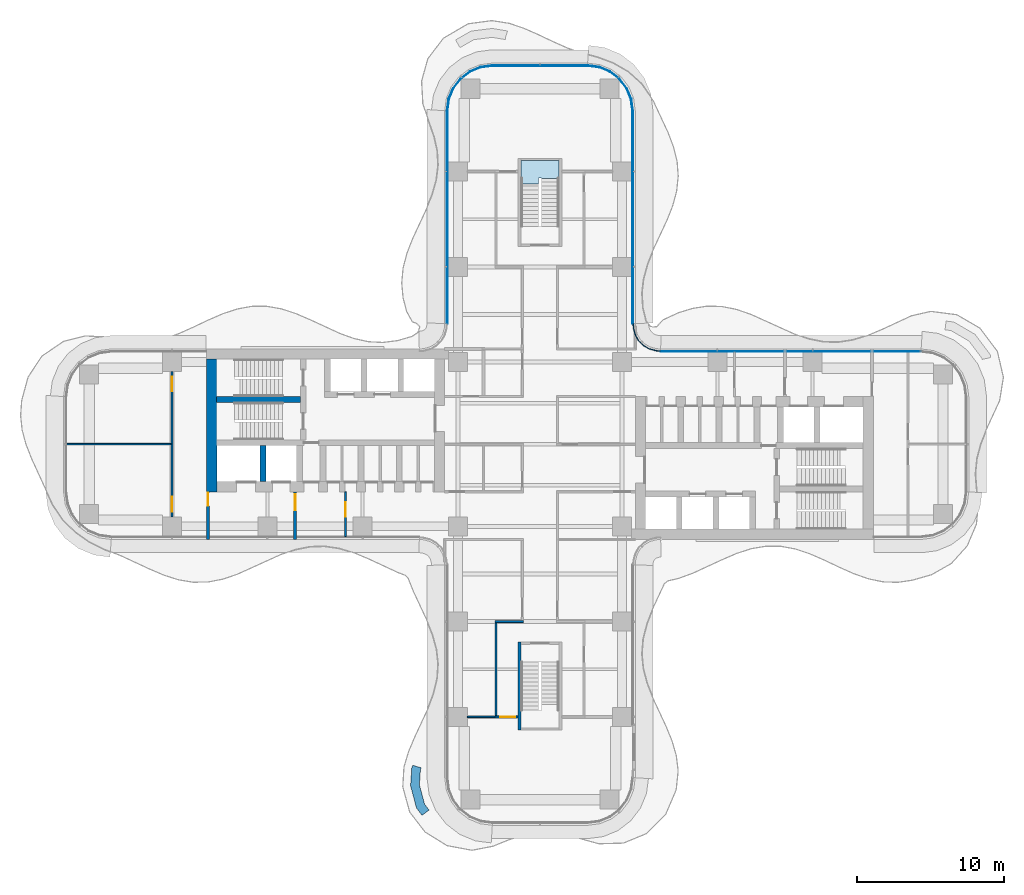
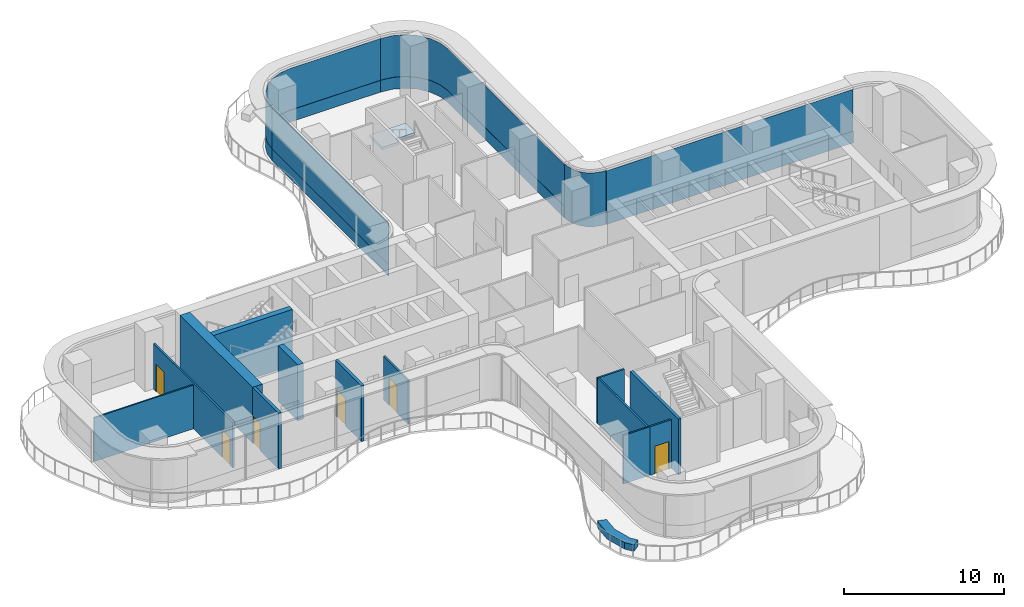
# One storey, part 15 of 21: 14 walls, 9 plates, 6 doors, 1 slab, 6 openings, 6 elements without a shape of their own.
"""IFC4 building model written with IfcOpenShell, lengths in metres."""

from ifc_helpers import new_model, si_unit, direction, frame, frame_2d, origin, place, context, subcontext, project, spatial, polyline, rectangle, outline, extrude, source, transform, mapped, material, layer, layer_set, type_object, element, fill, aggregate, save


model = new_model("IFC4")

# Units and contexts
model_context = context("Model", 3, precision=1e-05, world=origin(), true_north=direction((0.0, 1.0)))
body_context = subcontext(model_context, "Body", "Model", "MODEL_VIEW")
ifc_project = project(units=[si_unit("LENGTHUNIT", "METRE"), si_unit("AREAUNIT", "SQUARE_METRE"), si_unit("VOLUMEUNIT", "CUBIC_METRE"), si_unit("PLANEANGLEUNIT", "RADIAN"), si_unit("MASSUNIT", "GRAM", prefix="KILO")], contexts=[model_context])

# Site, building, storey
site_placement = place(None, origin())
site = spatial("IfcSite", under=ifc_project, at=site_placement, CompositionType="ELEMENT")
building_placement = place(site_placement, origin())
building = spatial("IfcBuilding", under=site, at=building_placement, Name="Trellis Farm Tower", CompositionType="ELEMENT")
storey_placement = place(building_placement, frame((0.0, 0.0, 138.0)))
storey = spatial("IfcBuildingStorey", under=building, at=storey_placement, Name="L29", CompositionType="ELEMENT", Elevation=138.0)

# Stair, slab
ifc_material_1 = material(Name="Concrete C50/60", Category="concrete")
stair_type = type_object("IfcStairType", Name="CORE EXIT STAIR 26 RISERS 173 MM", PredefinedType="HALF_TURN_STAIR", material=ifc_material_1)
placement_1 = place(storey_placement, origin())
stair = element("IfcStair", 1, at=placement_1, inside=storey, type_object=stair_type, Name="Exit stair N", PredefinedType="HALF_TURN_STAIR")
ifc_layer_1 = layer(ifc_material_1, 0.18994140625)
ifc_layer_set_1 = layer_set([ifc_layer_1], Name="CORE STAIR LANDING 190 CONCRETE C50/60")
slab_type = type_object("IfcSlabType", Name="CORE STAIR LANDING 190 CONCRETE C50/60", PredefinedType="LANDING", material=ifc_layer_set_1)
shared_shape_1 = source(origin(), body_context, "Body", "SweptSolid", [
    extrude(outline(polyline([(-0.10009765625, 17.753173828125), (-1.300048828125, 17.753173828125), (-1.300048828125, 18.14990234375), (-1.300048828125, 19.35009765625), (1.300048828125, 19.35009765625), (1.300048828125, 18.14990234375), (1.300048828125, 18.139892578125), (0.10009765625, 18.139892578125), (0.10009765625, 18.14990234375), (-0.10009765625, 18.14990234375), (-0.10009765625, 17.753173828125)])), origin(), (0.0, 0.0, 1.0), 0.18994140625),
])
slab_placement = place(storey_placement, frame((0.0, 0.0, 2.06005859375)))
slab = element("IfcSlab", 2, at=slab_placement, type_object=slab_type, Name="STN landing 1", PredefinedType="LANDING", context=body_context, shape_type="MappedRepresentation", body=[
    mapped(shared_shape_1, transform((0.0, 0.0, 0.0))),
])
aggregate(stair, [slab])

# Curtain wall, plate
ifc_material_2 = material(Name="Aluminium and glass curtain wall", Category="aluminium")
ifc_layer_2 = layer(ifc_material_2, 0.166015625)
ifc_layer_set_2 = layer_set([ifc_layer_2], Name="WINTER GARDEN CURTAIN WALL CW3")
curtain_wall_type_1 = type_object("IfcCurtainWallType", Name="WINTER GARDEN CURTAIN WALL CW3", PredefinedType="NOTDEFINED", material=ifc_layer_set_2)
curtain_wall_1 = element("IfcCurtainWall", 3, at=placement_1, inside=storey, type_object=curtain_wall_type_1, Name="CW3 003", PredefinedType="NOTDEFINED")
ifc_material_3 = material(Name="Clear insulated glass", Category="glass")
ifc_layer_3 = layer(ifc_material_3, 0.0458984375)
ifc_layer_set_3 = layer_set([ifc_layer_3], Name="CW3 GLASS PANEL 46")
plate_type_1 = type_object("IfcPlateType", Name="CW3 GLASS PANEL 46", PredefinedType="CURTAIN_PANEL", material=ifc_layer_set_3)
shared_shape_2 = source(origin(), body_context, "Body", "SweptSolid", [
    extrude(outline(polyline([(8.2275390625, 6.3798828125), (8.0078125, 6.394287109375), (7.89208984375, 6.40966796875), (7.462158203125, 6.52490234375), (7.070556640625, 6.7509765625), (6.7509765625, 7.070556640625), (6.52490234375, 7.462158203125), (6.40966796875, 7.89208984375), (6.394287109375, 8.0078125), (6.3798828125, 8.2275390625), (6.333984375, 8.22607421875), (6.3486328125, 8.003173828125), (6.364501953125, 7.883056640625), (6.48193359375, 7.4443359375), (6.714111328125, 7.04248046875), (7.04248046875, 6.714111328125), (7.4443359375, 6.48193359375), (7.883056640625, 6.364501953125), (8.003173828125, 6.3486328125), (8.22607421875, 6.333984375), (8.2275390625, 6.3798828125)])), origin(), (0.0, 0.0, 1.0), 4.10009765625),
])
plate_1 = element("IfcPlate", 4, at=placement_1, type_object=plate_type_1, Name="PL3 003", PredefinedType="CURTAIN_PANEL", context=body_context, shape_type="MappedRepresentation", body=[
    mapped(shared_shape_2, transform((0.0, 0.0, 0.0))),
])
aggregate(curtain_wall_1, [plate_1])

# Curtain wall, plates
ifc_layer_4 = layer(ifc_material_2, 0.18994140625)
ifc_layer_set_4 = layer_set([ifc_layer_4], Name="RIBBON CURTAIN WALL CW1")
curtain_wall_type_2 = type_object("IfcCurtainWallType", Name="RIBBON CURTAIN WALL CW1", PredefinedType="NOTDEFINED", material=ifc_layer_set_4)
curtain_wall_2 = element("IfcCurtainWall", 5, at=placement_1, inside=storey, type_object=curtain_wall_type_2, Name="CW1 009", PredefinedType="NOTDEFINED")
ifc_layer_5 = layer(ifc_material_3, 0.0400390625)
ifc_layer_set_5 = layer_set([ifc_layer_5], Name="CW1 GLASS PANEL 40")
plate_type_2 = type_object("IfcPlateType", Name="CW1 GLASS PANEL 40", PredefinedType="CURTAIN_PANEL", material=ifc_layer_set_5)
shared_shape_3 = source(origin(), body_context, "Body", "SweptSolid", [
    extrude(outline(polyline([(6.35009765625, 8.2265625), (6.35009765625, 22.740234375), (6.2431640625, 23.552001953125), (5.93359375, 24.29931640625), (5.441162109375, 24.941162109375), (4.79931640625, 25.43359375), (4.052001953125, 25.7431640625), (3.240234375, 25.85009765625), (3.237548828125, 25.81005859375), (4.04150390625, 25.7041015625), (4.779296875, 25.398681640625), (5.41259765625, 24.91259765625), (5.898681640625, 24.279296875), (6.2041015625, 23.54150390625), (6.31005859375, 22.737548828125), (6.31005859375, 8.22509765625), (6.35009765625, 8.2265625)])), origin(), (0.0, 0.0, 1.0), 3.170166015625),
])
placement_2 = place(storey_placement, frame((0.0, 0.0, 0.89990234375)))
plate_2 = element("IfcPlate", 6, at=placement_2, type_object=plate_type_2, Name="PL1 009", PredefinedType="CURTAIN_PANEL", context=body_context, shape_type="MappedRepresentation", body=[
    mapped(shared_shape_3, transform((0.0, 0.0, 0.0))),
])
ifc_material_4 = material(Name="Sandstone faced insulated panel", Category="masonry")
ifc_layer_6 = layer(ifc_material_4, 0.050048828125)
ifc_layer_set_6 = layer_set([ifc_layer_6], Name="CW1 STONE SPANDREL PANEL 50")
plate_type_3 = type_object("IfcPlateType", Name="CW1 STONE SPANDREL PANEL 50", PredefinedType="CURTAIN_PANEL", material=ifc_layer_set_6)
shared_shape_4 = source(origin(), body_context, "Body", "SweptSolid", [
    extrude(outline(polyline([(6.35009765625, 8.2265625), (6.35009765625, 22.740234375), (6.2431640625, 23.552001953125), (5.93359375, 24.29931640625), (5.441162109375, 24.941162109375), (4.79931640625, 25.43359375), (4.052001953125, 25.7431640625), (3.240234375, 25.85009765625), (3.23681640625, 25.800048828125), (4.0390625, 25.6943359375), (4.774169921875, 25.389892578125), (5.405517578125, 24.905517578125), (5.889892578125, 24.274169921875), (6.1943359375, 23.5390625), (6.300048828125, 22.73681640625), (6.300048828125, 8.224853515625), (6.35009765625, 8.2265625)])), origin(), (0.0, 0.0, 1.0), 0.89990234375),
])
plate_3 = element("IfcPlate", 7, at=placement_1, type_object=plate_type_3, Name="PS1 009", PredefinedType="CURTAIN_PANEL", context=body_context, shape_type="MappedRepresentation", body=[
    mapped(shared_shape_4, transform((0.0, 0.0, 0.0))),
])
aggregate(curtain_wall_2, [plate_2, plate_3])

curtain_wall_3 = element("IfcCurtainWall", 8, at=placement_1, inside=storey, type_object=curtain_wall_type_2, Name="CW1 011", PredefinedType="NOTDEFINED")
shared_shape_5 = source(origin(), body_context, "Body", "SweptSolid", [
    extrude(outline(polyline([(-6.35009765625, 22.740234375), (-6.35009765625, 8.2265625), (-6.31005859375, 8.22509765625), (-6.31005859375, 22.737548828125), (-6.35009765625, 22.740234375)])), origin(), (0.0, 0.0, 1.0), 3.170166015625),
])
plate_4 = element("IfcPlate", 9, at=placement_2, type_object=plate_type_2, Name="PL1 011", PredefinedType="CURTAIN_PANEL", context=body_context, shape_type="MappedRepresentation", body=[
    mapped(shared_shape_5, transform((0.0, 0.0, 0.0))),
])
shared_shape_6 = source(origin(), body_context, "Body", "SweptSolid", [
    extrude(outline(polyline([(-6.35009765625, 22.740234375), (-6.35009765625, 8.2265625), (-6.300048828125, 8.224853515625), (-6.300048828125, 22.73681640625), (-6.35009765625, 22.740234375)])), origin(), (0.0, 0.0, 1.0), 0.89990234375),
])
plate_5 = element("IfcPlate", 10, at=placement_1, type_object=plate_type_3, Name="PS1 011", PredefinedType="CURTAIN_PANEL", context=body_context, shape_type="MappedRepresentation", body=[
    mapped(shared_shape_6, transform((0.0, 0.0, 0.0))),
])
aggregate(curtain_wall_3, [plate_4, plate_5])

curtain_wall_4 = element("IfcCurtainWall", 11, at=placement_1, inside=storey, type_object=curtain_wall_type_2, Name="CW1 010", PredefinedType="NOTDEFINED")
shared_shape_7 = source(origin(), body_context, "Body", "SweptSolid", [
    extrude(outline(polyline([(3.240234375, 25.85009765625), (-3.240234375, 25.85009765625), (-4.052001953125, 25.7431640625), (-4.79931640625, 25.43359375), (-5.441162109375, 24.941162109375), (-5.93359375, 24.29931640625), (-6.2431640625, 23.552001953125), (-6.35009765625, 22.740234375), (-6.31005859375, 22.737548828125), (-6.2041015625, 23.54150390625), (-5.898681640625, 24.279296875), (-5.41259765625, 24.91259765625), (-4.779296875, 25.398681640625), (-4.04150390625, 25.7041015625), (-3.237548828125, 25.81005859375), (3.237548828125, 25.81005859375), (3.240234375, 25.85009765625)])), origin(), (0.0, 0.0, 1.0), 3.170166015625),
])
plate_6 = element("IfcPlate", 12, at=placement_2, type_object=plate_type_2, Name="PL1 010", PredefinedType="CURTAIN_PANEL", context=body_context, shape_type="MappedRepresentation", body=[
    mapped(shared_shape_7, transform((0.0, 0.0, 0.0))),
])
shared_shape_8 = source(origin(), body_context, "Body", "SweptSolid", [
    extrude(outline(polyline([(3.240234375, 25.85009765625), (-3.240234375, 25.85009765625), (-4.052001953125, 25.7431640625), (-4.79931640625, 25.43359375), (-5.441162109375, 24.941162109375), (-5.93359375, 24.29931640625), (-6.2431640625, 23.552001953125), (-6.35009765625, 22.740234375), (-6.300048828125, 22.73681640625), (-6.1943359375, 23.5390625), (-5.889892578125, 24.274169921875), (-5.405517578125, 24.905517578125), (-4.774169921875, 25.389892578125), (-4.0390625, 25.6943359375), (-3.23681640625, 25.800048828125), (3.23681640625, 25.800048828125), (3.240234375, 25.85009765625)])), origin(), (0.0, 0.0, 1.0), 0.89990234375),
])
plate_7 = element("IfcPlate", 13, at=placement_1, type_object=plate_type_3, Name="PS1 010", PredefinedType="CURTAIN_PANEL", context=body_context, shape_type="MappedRepresentation", body=[
    mapped(shared_shape_8, transform((0.0, 0.0, 0.0))),
])
aggregate(curtain_wall_4, [plate_6, plate_7])

curtain_wall_5 = element("IfcCurtainWall", 14, at=placement_1, inside=storey, type_object=curtain_wall_type_2, Name="CW1 008", PredefinedType="NOTDEFINED")
shared_shape_9 = source(origin(), body_context, "Body", "SweptSolid", [
    extrude(outline(polyline([(25.990234375, 6.35009765625), (8.2265625, 6.35009765625), (8.22509765625, 6.31005859375), (25.987548828125, 6.31005859375), (25.990234375, 6.35009765625)])), origin(), (0.0, 0.0, 1.0), 3.170166015625),
])
plate_8 = element("IfcPlate", 15, at=placement_2, type_object=plate_type_2, Name="PL1 008", PredefinedType="CURTAIN_PANEL", context=body_context, shape_type="MappedRepresentation", body=[
    mapped(shared_shape_9, transform((0.0, 0.0, 0.0))),
])
shared_shape_10 = source(origin(), body_context, "Body", "SweptSolid", [
    extrude(outline(polyline([(25.990234375, 6.35009765625), (8.2265625, 6.35009765625), (8.224853515625, 6.300048828125), (25.98681640625, 6.300048828125), (25.990234375, 6.35009765625)])), origin(), (0.0, 0.0, 1.0), 0.89990234375),
])
plate_9 = element("IfcPlate", 16, at=placement_1, type_object=plate_type_3, Name="PS1 008", PredefinedType="CURTAIN_PANEL", context=body_context, shape_type="MappedRepresentation", body=[
    mapped(shared_shape_10, transform((0.0, 0.0, 0.0))),
])
aggregate(curtain_wall_5, [plate_8, plate_9])

# Walls
ifc_material_5 = material(Name="Sandstone faced masonry planter", Category="masonry")
ifc_layer_7 = layer(ifc_material_5, 0.60009765625)
ifc_layer_set_7 = layer_set([ifc_layer_7], Name="PLANTER BED 600")
wall_type_1 = type_object("IfcWallType", Name="PLANTER BED 600", PredefinedType="USERDEFINED", material=ifc_layer_set_7)
element("IfcWall", 17, at=placement_1, inside=storey, type_object=wall_type_1, Name="PLANTER bed", ObjectType="PLANTER", PredefinedType="USERDEFINED", context=body_context, shape_type="SweptSolid", body=[
    extrude(outline(polyline([(-8.827392578125, -23.30078125), (-8.749755859375, -22.107421875), (-8.687255859375, -21.900146484375), (-8.11279296875, -22.073486328125), (-8.155517578125, -22.21484375), (-8.22216796875, -23.241943359375), (-7.8759765625, -24.546630859375), (-7.56494140625, -24.958740234375), (-8.0439453125, -25.3203125), (-8.42578125, -24.814208984375), (-8.827392578125, -23.30078125)])), origin(), (0.0, 0.0, 1.0), 0.5),
])
ifc_material_6 = material(Name="Concrete C70/85", Category="concrete")
ifc_layer_8 = layer(ifc_material_6, 0.699951171875)
ifc_layer_set_8 = layer_set([ifc_layer_8], Name="CORE OUTER WALL 700 CONCRETE C70/85")
wall_type_2 = type_object("IfcWallType", Name="CORE OUTER WALL 700 CONCRETE C70/85", PredefinedType="SHEAR", material=ifc_layer_set_8)
shared_shape_11 = source(origin(), body_context, "Body", "SweptSolid", [
    extrude(rectangle(XDim=9.050048828125, YDim=0.699951171875, at=frame_2d((4.52490234375, 0.0))), origin(), (0.0, 0.0, 1.0), 4.25),
])
wall_2_placement = place(storey_placement, frame((-22.39990234375, 5.800048828125, 0.0), z_axis=(0.0, 0.0, 1.0), x_axis=(0.0, -1.0, 0.0)))
element("IfcWall", 18, at=wall_2_placement, inside=storey, type_object=wall_type_2, Name="Core wall", PredefinedType="SHEAR", context=body_context, shape_type="MappedRepresentation", body=[
    mapped(shared_shape_11, transform((0.0, 0.0, 0.0))),
])
ifc_layer_9 = layer(ifc_material_6, 0.39990234375)
ifc_layer_set_9 = layer_set([ifc_layer_9], Name="CORE INNER WALL 400 CONCRETE C70/85")
wall_type_3 = type_object("IfcWallType", Name="CORE INNER WALL 400 CONCRETE C70/85", PredefinedType="SHEAR", material=ifc_layer_set_9)
shared_shape_12 = source(origin(), body_context, "Body", "SweptSolid", [
    extrude(rectangle(XDim=2.449951171875, YDim=0.39990234375, at=frame_2d((1.22509765625, 0.0))), origin(), (0.0, 0.0, 1.0), 4.25),
])
wall_3_placement = place(storey_placement, frame((-18.89990234375, -0.10009765625, 0.0), z_axis=(0.0, 0.0, 1.0), x_axis=(0.0, -1.0, 0.0)))
element("IfcWall", 19, at=wall_3_placement, inside=storey, type_object=wall_type_3, Name="Core wall", PredefinedType="SHEAR", context=body_context, shape_type="MappedRepresentation", body=[
    mapped(shared_shape_12, transform((0.0, 0.0, 0.0))),
])

# Wall, opening, door
ifc_material_7 = material(Name="Masonry blockwork", Category="masonry")
ifc_layer_10 = layer(ifc_material_7, 0.199951171875)
ifc_layer_set_10 = layer_set([ifc_layer_10], Name="FIRE LOBBY PARTITION 200 BLOCKWORK")
wall_type_4 = type_object("IfcWallType", Name="FIRE LOBBY PARTITION 200 BLOCKWORK", PredefinedType="PARTITIONING", material=ifc_layer_set_10)
shared_shape_13 = source(origin(), body_context, "Body", "SweptSolid", [
    extrude(rectangle(XDim=3.25, YDim=0.199951171875, at=frame_2d((1.625, 0.0))), origin(), (0.0, 0.0, 1.0), 4.25),
])
wall_4_placement = place(storey_placement, frame((-16.699951171875, -3.25, 0.0), z_axis=(0.0, 0.0, 1.0), x_axis=(0.0, -1.0, 0.0)))
wall_4 = element("IfcWall", 20, at=wall_4_placement, inside=storey, type_object=wall_type_4, Name="Fire-fighting lobby partition", PredefinedType="PARTITIONING", context=body_context, shape_type="MappedRepresentation", body=[
    mapped(shared_shape_13, transform((0.0, 0.0, 0.0))),
])
shared_shape_14 = source(origin(), body_context, "Body", "SweptSolid", [
    extrude(rectangle(XDim=1.10009765625, YDim=2.10009765625, at=frame_2d((0.550048828125, 1.050048828125))), frame((0.0, 0.110107421875, 0.0), z_axis=(0.0, -1.0, 0.0), x_axis=(1.0, 0.0, 0.0)), (0.0, 0.0, 1.0), 0.22021484375),
])
opening_1_placement = place(wall_4_placement, frame((0.14990234375, 0.0, 0.0)))
opening_1 = element("IfcOpeningElement", 21, at=opening_1_placement, cuts=wall_4, Name="Opening DC93", PredefinedType="OPENING", context=body_context, shape_type="MappedRepresentation", body=[
    mapped(shared_shape_14, transform((0.0, 0.0, 0.0))),
])
ifc_material_8 = material(Name="Steel", Category="steel")
door_type_1 = type_object("IfcDoorType", Name="CORE FIRE DOOR 1100 X 2100", OperationType="NOTDEFINED", PredefinedType="DOOR", material=ifc_material_8)
shared_shape_15 = source(origin(), body_context, "Body", "SweptSolid", [
    extrude(rectangle(XDim=1.10009765625, YDim=2.10009765625, at=frame_2d((0.550048828125, 1.050048828125))), frame((0.0, 0.02490234375, 0.0), z_axis=(0.0, -1.0, 0.0), x_axis=(1.0, 0.0, 0.0)), (0.0, 0.0, 1.0), 0.050048828125),
])
door_1_placement = place(opening_1_placement, origin())
door_1 = element("IfcDoor", 22, at=door_1_placement, inside=storey, type_object=door_type_1, Name="Core door", OperationType="SINGLE_SWING_RIGHT", OverallHeight=2.10009765625, OverallWidth=1.10009765625, PredefinedType="DOOR", context=body_context, shape_type="MappedRepresentation", body=[
    mapped(shared_shape_15, transform((0.0, 0.0, 0.0))),
])
fill(opening_1, door_1)

wall_5_placement = place(storey_placement, frame((-22.64990234375, -3.25, 0.0), z_axis=(0.0, 0.0, 1.0), x_axis=(0.0, -1.0, 0.0)))
wall_5 = element("IfcWall", 23, at=wall_5_placement, inside=storey, type_object=wall_type_4, Name="Fire-fighting lobby partition", PredefinedType="PARTITIONING", context=body_context, shape_type="MappedRepresentation", body=[
    mapped(shared_shape_13, transform((0.0, 0.0, 0.0))),
])
shared_shape_16 = source(origin(), body_context, "Body", "SweptSolid", [
    extrude(rectangle(XDim=0.89990234375, YDim=2.10009765625, at=frame_2d((0.449951171875, 1.050048828125))), frame((0.0, 0.110107421875, 0.0), z_axis=(0.0, -1.0, 0.0), x_axis=(1.0, 0.0, 0.0)), (0.0, 0.0, 1.0), 0.22021484375),
])
opening_2_placement = place(wall_5_placement, frame((0.050048828125, 0.0, 0.0)))
opening_2 = element("IfcOpeningElement", 24, at=opening_2_placement, cuts=wall_5, Name="Opening DC94", PredefinedType="OPENING", context=body_context, shape_type="MappedRepresentation", body=[
    mapped(shared_shape_16, transform((0.0, 0.0, 0.0))),
])
door_type_2 = type_object("IfcDoorType", Name="CORE FIRE DOOR 900 X 2100", OperationType="NOTDEFINED", PredefinedType="DOOR", material=ifc_material_8)
shared_shape_17 = source(origin(), body_context, "Body", "SweptSolid", [
    extrude(rectangle(XDim=0.89990234375, YDim=2.10009765625, at=frame_2d((0.449951171875, 1.050048828125))), frame((0.0, 0.02490234375, 0.0), z_axis=(0.0, -1.0, 0.0), x_axis=(1.0, 0.0, 0.0)), (0.0, 0.0, 1.0), 0.050048828125),
])
door_2_placement = place(opening_2_placement, origin())
door_2 = element("IfcDoor", 25, at=door_2_placement, inside=storey, type_object=door_type_2, Name="Core door", OperationType="SINGLE_SWING_RIGHT", OverallHeight=2.10009765625, OverallWidth=0.89990234375, PredefinedType="DOOR", context=body_context, shape_type="MappedRepresentation", body=[
    mapped(shared_shape_17, transform((0.0, 0.0, 0.0))),
])
fill(opening_2, door_2)

# Walls
shared_shape_18 = source(origin(), body_context, "Body", "SweptSolid", [
    extrude(rectangle(XDim=5.699951171875, YDim=0.39990234375, at=frame_2d((2.85009765625, 0.0))), origin(), (0.0, 0.0, 1.0), 4.25),
])
wall_6_placement = place(storey_placement, frame((-16.35009765625, 3.050048828125, 0.0), z_axis=(0.0, 0.0, 1.0), x_axis=(-1.0, 0.0, 0.0)))
element("IfcWall", 26, at=wall_6_placement, inside=storey, type_object=wall_type_3, Name="Core wall", PredefinedType="SHEAR", context=body_context, shape_type="MappedRepresentation", body=[
    mapped(shared_shape_18, transform((0.0, 0.0, 0.0))),
])
ifc_layer_11 = layer(ifc_material_6, 0.199951171875)
ifc_layer_set_11 = layer_set([ifc_layer_11], Name="CORE STAIR ENCLOSURE WALL 200 CONCRETE C70/85")
wall_type_5 = type_object("IfcWallType", Name="CORE STAIR ENCLOSURE WALL 200 CONCRETE C70/85", PredefinedType="SHEAR", material=ifc_layer_set_11)
shared_shape_19 = source(origin(), body_context, "Body", "SweptSolid", [
    extrude(rectangle(XDim=6.0, YDim=0.199951171875, at=frame_2d((3.0, 0.0))), origin(), (0.0, 0.0, 1.0), 4.25),
])
wall_7_placement = place(storey_placement, frame((-1.39990234375, -13.5, 0.0), z_axis=(0.0, 0.0, 1.0), x_axis=(0.0, -1.0, 0.0)))
element("IfcWall", 27, at=wall_7_placement, inside=storey, type_object=wall_type_5, Name="Stair enclosure wall", PredefinedType="SHEAR", context=body_context, shape_type="MappedRepresentation", body=[
    mapped(shared_shape_19, transform((0.0, 0.0, 0.0))),
])
ifc_material_9 = material(Name="Plasterboard on steel studs, mineral wool", Category="steel")
ifc_layer_12 = layer(ifc_material_9, 0.125)
ifc_layer_set_12 = layer_set([ifc_layer_12], Name="PARTITION 125 STUD EI 60")
wall_type_6 = type_object("IfcWallType", Name="PARTITION 125 STUD EI 60", PredefinedType="PARTITIONING", material=ifc_layer_set_12)
shared_shape_20 = source(origin(), body_context, "Body", "SweptSolid", [
    extrude(rectangle(XDim=1.925048828125, YDim=0.125, at=frame_2d((0.96240234375, 0.0))), origin(), (0.0, 0.0, 1.0), 3.4677734375),
])
wall_8_placement = place(storey_placement, frame((-3.0625, -12.10009765625, 0.0), z_axis=(0.0, 0.0, 1.0), x_axis=(1.0, 0.0, 0.0)))
element("IfcWall", 28, at=wall_8_placement, inside=storey, type_object=wall_type_6, Name="Partition PW1", PredefinedType="PARTITIONING", context=body_context, shape_type="MappedRepresentation", body=[
    mapped(shared_shape_20, transform((0.0, 0.0, 0.0))),
])
ifc_material_10 = material(Name="Plasterboard on steel studs", Category="steel")
ifc_layer_13 = layer(ifc_material_10, 0.10009765625)
ifc_layer_set_13 = layer_set([ifc_layer_13], Name="PARTITION 100 STUD EI 30")
wall_type_7 = type_object("IfcWallType", Name="PARTITION 100 STUD EI 30", PredefinedType="PARTITIONING", material=ifc_layer_set_13)
shared_shape_21 = source(origin(), body_context, "Body", "SweptSolid", [
    extrude(rectangle(XDim=7.137451171875, YDim=0.10009765625, at=frame_2d((3.56884765625, 0.0))), origin(), (0.0, 0.0, 1.0), 3.330078125),
])
wall_9_placement = place(storey_placement, frame((-32.300048828125, 0.0, 0.0), z_axis=(0.0, 0.0, 1.0), x_axis=(1.0, 0.0, 0.0)))
element("IfcWall", 29, at=wall_9_placement, inside=storey, type_object=wall_type_7, Name="Partition PW2", PredefinedType="PARTITIONING", context=body_context, shape_type="MappedRepresentation", body=[
    mapped(shared_shape_21, transform((0.0, 0.0, 0.0))),
])

# Wall, opening, door
shared_shape_22 = source(origin(), body_context, "Body", "SweptSolid", [
    extrude(rectangle(XDim=3.050048828125, YDim=0.125, at=frame_2d((1.52490234375, 0.0))), origin(), (0.0, 0.0, 1.0), 3.330078125),
])
wall_10_placement = place(storey_placement, frame((-13.26708984375, -6.300048828125, 0.0), z_axis=(0.0, 0.0, 1.0), x_axis=(0.0, 1.0, 0.0)))
wall_10 = element("IfcWall", 30, at=wall_10_placement, inside=storey, type_object=wall_type_6, Name="Partition PW1", PredefinedType="PARTITIONING", context=body_context, shape_type="MappedRepresentation", body=[
    mapped(shared_shape_22, transform((0.0, 0.0, 0.0))),
])
shared_shape_23 = source(origin(), body_context, "Body", "SweptSolid", [
    extrude(rectangle(XDim=1.0, YDim=2.10009765625, at=frame_2d((0.5, 1.050048828125))), frame((0.0, 0.072509765625, 0.0), z_axis=(0.0, -1.0, 0.0), x_axis=(1.0, 0.0, 0.0)), (0.0, 0.0, 1.0), 0.14501953125),
])
opening_3_placement = place(wall_10_placement, frame((1.35009765625, 0.0, 0.0)))
opening_3 = element("IfcOpeningElement", 31, at=opening_3_placement, cuts=wall_10, Name="Opening D301", PredefinedType="OPENING", context=body_context, shape_type="MappedRepresentation", body=[
    mapped(shared_shape_23, transform((0.0, 0.0, 0.0))),
])
ifc_material_11 = material(Name="Fire-rated timber door leaf in a hollow metal frame", Category="wood")
door_type_3 = type_object("IfcDoorType", Name="DOOR 1000x2100 FD60", OperationType="NOTDEFINED", PredefinedType="DOOR", material=ifc_material_11)
shared_shape_24 = source(origin(), body_context, "Body", "SweptSolid", [
    extrude(rectangle(XDim=1.0, YDim=2.10009765625, at=frame_2d((0.5, 1.050048828125))), frame((0.0, 0.02490234375, 0.0), z_axis=(0.0, -1.0, 0.0), x_axis=(1.0, 0.0, 0.0)), (0.0, 0.0, 1.0), 0.050048828125),
])
door_3_placement = place(opening_3_placement, origin())
door_3 = element("IfcDoor", 32, at=door_3_placement, inside=storey, type_object=door_type_3, Name="Door D301", OperationType="SINGLE_SWING_LEFT", OverallHeight=2.10009765625, OverallWidth=1.0, PredefinedType="DOOR", context=body_context, shape_type="MappedRepresentation", body=[
    mapped(shared_shape_24, transform((0.0, 0.0, 0.0))),
])
fill(opening_3, door_3)

shared_shape_25 = source(origin(), body_context, "Body", "SweptSolid", [
    extrude(rectangle(XDim=1.5625, YDim=0.125, at=frame_2d((0.78125, 0.0))), origin(), (0.0, 0.0, 1.0), 3.697021484375),
])
wall_11_placement = place(storey_placement, frame((-1.5, -18.60009765625, 0.0), z_axis=(0.0, 0.0, 1.0), x_axis=(-1.0, 0.0, 0.0)))
wall_11 = element("IfcWall", 33, at=wall_11_placement, inside=storey, type_object=wall_type_6, Name="Partition PW1", PredefinedType="PARTITIONING", context=body_context, shape_type="MappedRepresentation", body=[
    mapped(shared_shape_25, transform((0.0, 0.0, 0.0))),
])
opening_4_placement = place(wall_11_placement, frame((0.199951171875, 0.0, 0.0)))
opening_4 = element("IfcOpeningElement", 34, at=opening_4_placement, cuts=wall_11, Name="Opening D101", PredefinedType="OPENING", context=body_context, shape_type="MappedRepresentation", body=[
    mapped(shared_shape_23, transform((0.0, 0.0, 0.0))),
])
door_type_4 = type_object("IfcDoorType", Name="DOOR 1000x2100 FD30S", OperationType="NOTDEFINED", PredefinedType="DOOR", material=ifc_material_11)
door_4_placement = place(opening_4_placement, origin())
door_4 = element("IfcDoor", 35, at=door_4_placement, inside=storey, type_object=door_type_4, Name="Door D101", OperationType="SINGLE_SWING_LEFT", OverallHeight=2.10009765625, OverallWidth=1.0, PredefinedType="DOOR", context=body_context, shape_type="MappedRepresentation", body=[
    mapped(shared_shape_24, transform((0.0, 0.0, 0.0))),
])
fill(opening_4, door_4)

# Walls
shared_shape_26 = source(origin(), body_context, "Body", "SweptSolid", [
    extrude(rectangle(XDim=6.387451171875, YDim=0.125, at=frame_2d((3.19384765625, 0.0))), origin(), (0.0, 0.0, 1.0), 3.4677734375),
])
wall_12_placement = place(storey_placement, frame((-3.0, -18.550048828125, 0.0), z_axis=(0.0, 0.0, 1.0), x_axis=(0.0, 1.0, 0.0)))
element("IfcWall", 36, at=wall_12_placement, inside=storey, type_object=wall_type_6, Name="Partition PW1", PredefinedType="PARTITIONING", context=body_context, shape_type="MappedRepresentation", body=[
    mapped(shared_shape_26, transform((0.0, 0.0, 0.0))),
])
shared_shape_27 = source(origin(), body_context, "Body", "SweptSolid", [
    extrude(rectangle(XDim=2.012451171875, YDim=0.10009765625, at=frame_2d((1.00634765625, 0.0))), origin(), (0.0, 0.0, 1.0), 3.697021484375),
])
wall_13_placement = place(storey_placement, frame((-4.949951171875, -18.60009765625, 0.0), z_axis=(0.0, 0.0, 1.0), x_axis=(1.0, 0.0, 0.0)))
element("IfcWall", 37, at=wall_13_placement, inside=storey, type_object=wall_type_7, Name="Partition PW2", PredefinedType="PARTITIONING", context=body_context, shape_type="MappedRepresentation", body=[
    mapped(shared_shape_27, transform((0.0, 0.0, 0.0))),
])

# Wall, openings, doors
shared_shape_28 = source(origin(), body_context, "Body", "SweptSolid", [
    extrude(rectangle(XDim=9.89990234375, YDim=0.125, at=frame_2d((4.949951171875, 0.0))), origin(), (0.0, 0.0, 1.0), 3.4677734375),
])
wall_14_placement = place(storey_placement, frame((-25.10009765625, -4.949951171875, 0.0), z_axis=(0.0, 0.0, 1.0), x_axis=(0.0, 1.0, 0.0)))
wall_14 = element("IfcWall", 38, at=wall_14_placement, inside=storey, type_object=wall_type_6, Name="Partition PW1", PredefinedType="PARTITIONING", context=body_context, shape_type="MappedRepresentation", body=[
    mapped(shared_shape_28, transform((0.0, 0.0, 0.0))),
])
opening_5_placement = place(wall_14_placement, frame((0.35009765625, 0.0, 0.0)))
opening_5 = element("IfcOpeningElement", 39, at=opening_5_placement, cuts=wall_14, Name="Opening D104", PredefinedType="OPENING", context=body_context, shape_type="MappedRepresentation", body=[
    mapped(shared_shape_23, transform((0.0, 0.0, 0.0))),
])
opening_6_placement = place(wall_14_placement, frame((8.550048828125, 0.0, 0.0)))
opening_6 = element("IfcOpeningElement", 40, at=opening_6_placement, cuts=wall_14, Name="Opening D110", PredefinedType="OPENING", context=body_context, shape_type="MappedRepresentation", body=[
    mapped(shared_shape_23, transform((0.0, 0.0, 0.0))),
])
door_5_placement = place(opening_5_placement, origin())
door_5 = element("IfcDoor", 41, at=door_5_placement, inside=storey, type_object=door_type_4, Name="Door D104", OperationType="SINGLE_SWING_LEFT", OverallHeight=2.10009765625, OverallWidth=1.0, PredefinedType="DOOR", context=body_context, shape_type="MappedRepresentation", body=[
    mapped(shared_shape_24, transform((0.0, 0.0, 0.0))),
])
fill(opening_5, door_5)
door_6_placement = place(opening_6_placement, origin())
door_6 = element("IfcDoor", 42, at=door_6_placement, inside=storey, type_object=door_type_4, Name="Door D110", OperationType="SINGLE_SWING_RIGHT", OverallHeight=2.10009765625, OverallWidth=1.0, PredefinedType="DOOR", context=body_context, shape_type="MappedRepresentation", body=[
    mapped(shared_shape_24, transform((0.0, 0.0, 0.0))),
])
fill(opening_6, door_6)

save(model, "model.ifc")
